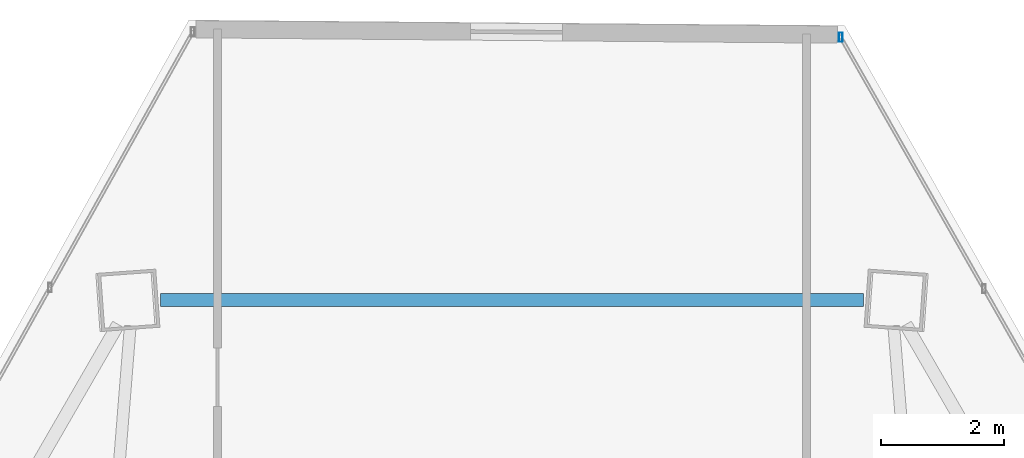
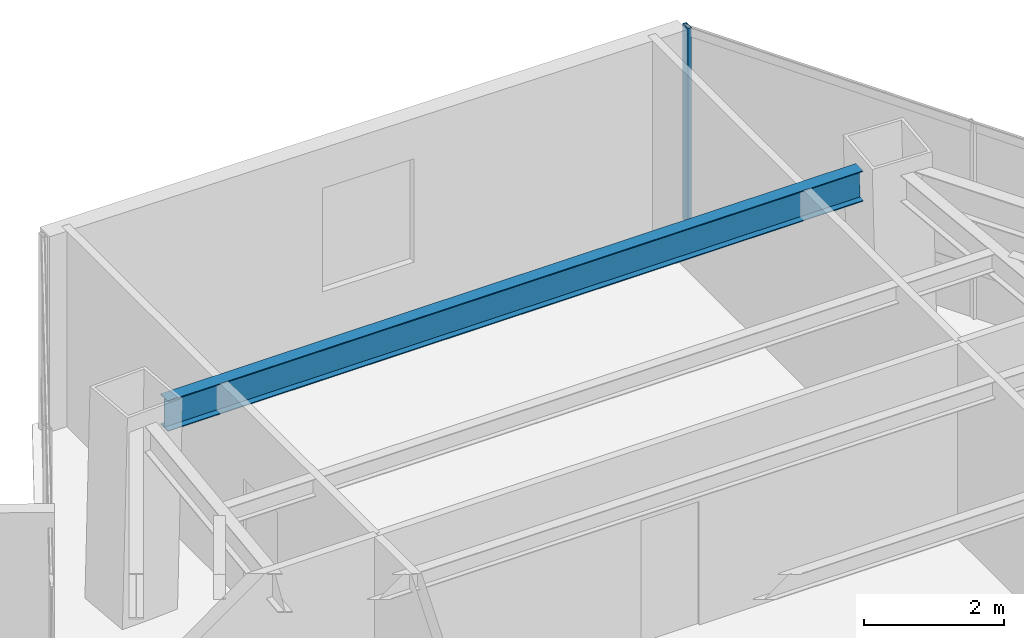
# One storey, part 29 of 38: 1 beam, 1 member, 1 element without a shape of its own.
"""IFC4 building model written with IfcOpenShell, lengths in metres."""

from ifc_helpers import new_model, si_unit, direction, frame, origin, origin_2d, place, context, subcontext, project, spatial, hollow_rectangle, i_section, extrude, source, transform, mapped, material, material_profile, profile_set, type_object, type_shapes, element, aggregate, save


model = new_model("IFC4")

# Units and contexts
model_context = context("Model", 3, precision=1e-05, world=origin(), true_north=direction((0.0, 1.0)))
body_context = subcontext(model_context, "Body", "Model", "MODEL_VIEW")
ifc_project = project(units=[si_unit("LENGTHUNIT", "METRE"), si_unit("AREAUNIT", "SQUARE_METRE"), si_unit("VOLUMEUNIT", "CUBIC_METRE"), si_unit("PLANEANGLEUNIT", "RADIAN"), si_unit("MASSUNIT", "GRAM", prefix="KILO")], contexts=[model_context])

# Site, building, storey
site_placement = place(None, origin())
site = spatial("IfcSite", under=ifc_project, at=site_placement, CompositionType="ELEMENT")
building_placement = place(site_placement, origin())
building = spatial("IfcBuilding", under=site, at=building_placement, Name="Caelisora Broadcast Tower", CompositionType="ELEMENT")
storey_placement = place(building_placement, frame((0.0, 0.0, 154.85009765625)))
storey = spatial("IfcBuildingStorey", under=building, at=storey_placement, Name="L40", CompositionType="ELEMENT", Elevation=154.85009765625)

# Beam
ifc_material_1 = material(Name="Steel Grade 350 (AS/NZS 3679.1)", Category="steel")
ifc_material_profile_1 = material_profile(ifc_material_1, i_section(OverallWidth=0.208984375, OverallDepth=0.532958984375, WebThickness=0.01025390625, FlangeThickness=0.015625, at=origin_2d()), Name="Steel Grade 350 (AS/NZS 3679.1)")
ifc_profile_set_1 = profile_set([ifc_material_profile_1], Name="Steel Grade 350 (AS/NZS 3679.1)")
beam_type = type_object("IfcBeamType", Name="PG05", PredefinedType="BEAM", material=ifc_profile_set_1)
shared_shape_1 = source(origin(), body_context, "Body", "SweptSolid", [
    extrude(i_section(OverallWidth=0.208984375, OverallDepth=0.532958984375, WebThickness=0.01025390625, FlangeThickness=0.015625, at=origin_2d()), origin(), (0.0, 0.0, 1.0), 11.44921875),
])
type_shapes(beam_type, [shared_shape_1])
beam_placement = place(storey_placement, frame((43.724609375, 46.50244140625, 3.13330078125), z_axis=(-1.0, 0.0, 0.0), x_axis=(0.0, -1.0, 0.0)))
element("IfcBeam", 1, at=beam_placement, inside=storey, type_object=beam_type, Name="L40 beam PG05", PredefinedType="BEAM", context=body_context, shape_type="MappedRepresentation", body=[
    mapped(shared_shape_1, transform((0.0, 0.0, 0.0), scale=1.0)),
])

# Curtain wall, member
ifc_material_2 = material(Name="Unitised Aluminium and Low-E Glass Curtain Wall", Category="glass")
curtain_wall_type = type_object("IfcCurtainWallType", Name="CW-Z3", PredefinedType="NOTDEFINED", material=ifc_material_2)
curtain_wall_placement = place(storey_placement, origin())
curtain_wall = element("IfcCurtainWall", 2, at=curtain_wall_placement, inside=storey, type_object=curtain_wall_type, Name="L40 curtain wall CW-Z3", PredefinedType="NOTDEFINED")
ifc_material_3 = material(Name="Aluminium 6063-T6 Anodised Terracotta Bronze", Category="aluminium")
ifc_material_profile_2 = material_profile(ifc_material_3, hollow_rectangle(XDim=0.06005859375, YDim=0.14990234375, WallThickness=0.00341796875, at=origin_2d()), Name="Aluminium 6063-T6 Anodised Terracotta Bronze")
ifc_profile_set_2 = profile_set([ifc_material_profile_2], Name="Aluminium 6063-T6 Anodised Terracotta Bronze")
member_type = type_object("IfcMemberType", Name="CWM-03", PredefinedType="MULLION", material=ifc_profile_set_2)
shared_shape_2 = source(origin(), body_context, "Body", "SweptSolid", [
    extrude(hollow_rectangle(XDim=0.06005859375, YDim=0.14990234375, WallThickness=0.00341796875, at=origin_2d()), origin(), (0.0, 0.0, 1.0), 3.39990234375),
])
type_shapes(member_type, [shared_shape_2])
member_placement = place(storey_placement, frame((43.353759765625, 50.78271484375, 0.0), z_axis=(0.0, 0.0, 1.0), x_axis=(1.0, 0.0, 0.0)))
member = element("IfcMember", 3, at=member_placement, type_object=member_type, Name="L40-CW-B01 mullion #0", PredefinedType="MULLION", context=body_context, shape_type="MappedRepresentation", body=[
    mapped(shared_shape_2, transform((0.0, 0.0, 0.0), scale=1.0)),
])
aggregate(curtain_wall, [member])

save(model, "model.ifc")
